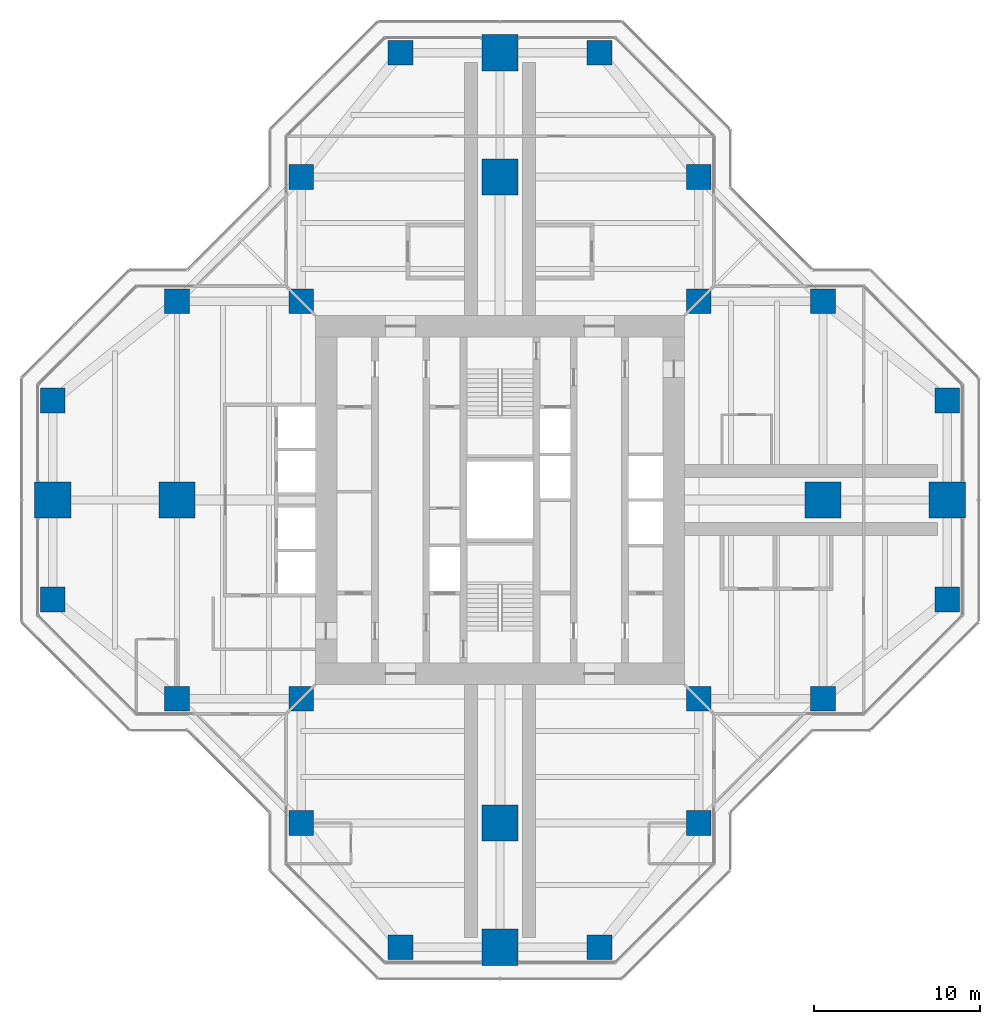
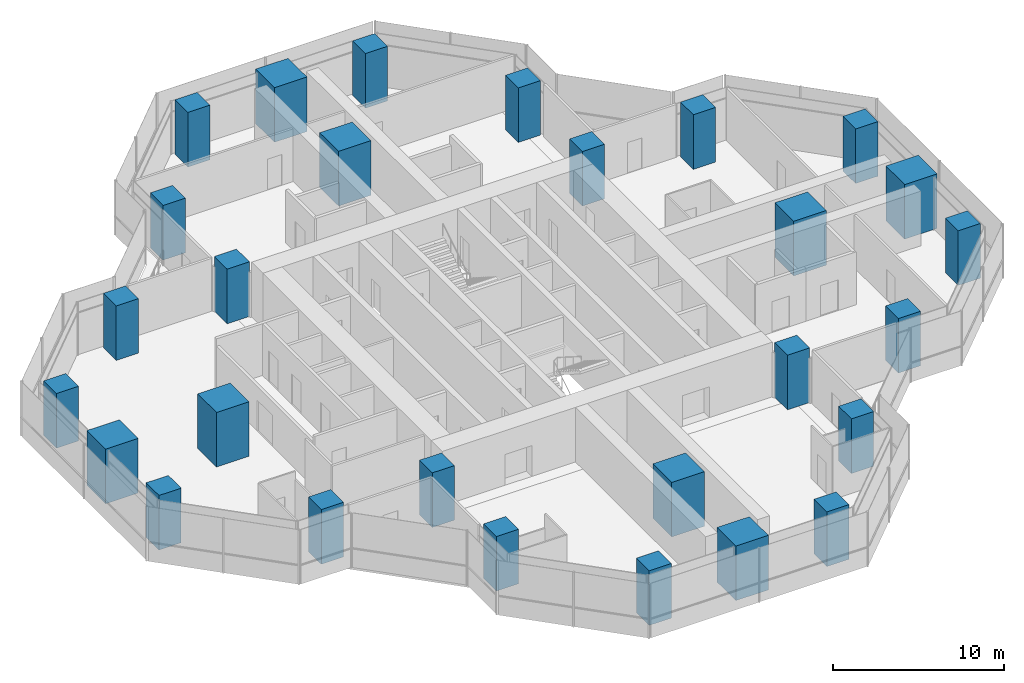
# One storey, part 1 of 17: 28 columns.
"""IFC4 building model written with IfcOpenShell, lengths in metres."""

from ifc_helpers import new_model, si_unit, direction, frame, origin, origin_2d, place, context, subcontext, project, spatial, rectangle, extrude, material, material_profile, profile_set, type_object, element, save


model = new_model("IFC4")

# Units and contexts
model_context = context("Model", 3, precision=1e-05, world=origin(), true_north=direction((0.0, 1.0)))
body_context = subcontext(model_context, "Body", "Model", "MODEL_VIEW")
ifc_project = project(units=[si_unit("LENGTHUNIT", "METRE"), si_unit("AREAUNIT", "SQUARE_METRE"), si_unit("VOLUMEUNIT", "CUBIC_METRE"), si_unit("PLANEANGLEUNIT", "RADIAN"), si_unit("MASSUNIT", "GRAM", prefix="KILO")], contexts=[model_context])

# Site, building, storey
site_placement = place(None, origin())
site = spatial("IfcSite", under=ifc_project, at=site_placement, CompositionType="ELEMENT")
building_placement = place(site_placement, origin())
building = spatial("IfcBuilding", under=site, at=building_placement, Name="Mizan Broadcast Tower", CompositionType="ELEMENT")
storey_placement = place(building_placement, frame((0.0, 0.0, 232.199951171875)))
storey = spatial("IfcBuildingStorey", under=building, at=storey_placement, Name="L54", CompositionType="ELEMENT", Elevation=232.199951171875)

# Columns
ifc_material_1 = material(Name="Concrete C70/85", Category="concrete")
ifc_material_profile_1 = material_profile(ifc_material_1, rectangle(XDim=1.5, YDim=1.5, at=origin_2d()), Name="RC 1500x1500")
ifc_profile_set_1 = profile_set([ifc_material_profile_1], Name="Concrete C70/85")
column_type_1 = type_object("IfcColumnType", Name="RC COLUMN 1500x1500 C70/85", PredefinedType="COLUMN", material=ifc_profile_set_1)
for number, where, z_axis, x_axis, name in (
    (1, (-6.0, -27.0, 0.0), (0.0, 0.0, 1.0), (1.0, 0.0, 0.0), "Column 5/B L54"),
    (2, (6.0, -27.0, 0.0), (0.0, 0.0, 1.0), (1.0, 0.0, 0.0), "Column 7/B L54"),
    (3, (-12.0, -19.5, 0.0), (0.0, 0.0, 1.0), (1.0, 0.0, 0.0), "Column 4/C L54"),
    (4, (12.0, -19.5, 0.0), (0.0, 0.0, 1.0), (1.0, 0.0, 0.0), "Column 8/C L54"),
    (5, (-19.5, -12.0, 0.0), (0.0, 0.0, 1.0), (1.0, 0.0, 0.0), "Column 3/D L54"),
    (6, (-12.0, -12.0, 0.0), (0.0, 0.0, 1.0), (1.0, 0.0, 0.0), "Column 4/D L54"),
    (7, (12.0, -12.0, 0.0), (0.0, 0.0, 1.0), (1.0, 0.0, 0.0), "Column 8/D L54"),
    (8, (19.5, -12.0, 0.0), (0.0, 0.0, 1.0), (1.0, 0.0, 0.0), "Column 9/D L54"),
    (9, (-27.0, -6.0, 0.0), (0.0, 0.0, 1.0), (1.0, 0.0, 0.0), "Column 2/E L54"),
    (10, (27.0, -6.0, 0.0), (0.0, 0.0, 1.0), (1.0, 0.0, 0.0), "Column 10/E L54"),
    (11, (-27.0, 6.0, 0.0), (0.0, 0.0, 1.0), (1.0, 0.0, 0.0), "Column 2/G L54"),
    (12, (27.0, 6.0, 0.0), (0.0, 0.0, 1.0), (1.0, 0.0, 0.0), "Column 10/G L54"),
    (13, (-19.5, 12.0, 0.0), (0.0, 0.0, 1.0), (1.0, 0.0, 0.0), "Column 3/H L54"),
    (14, (-12.0, 12.0, 0.0), (0.0, 0.0, 1.0), (1.0, 0.0, 0.0), "Column 4/H L54"),
    (15, (12.0, 12.0, 0.0), (0.0, 0.0, 1.0), (1.0, 0.0, 0.0), "Column 8/H L54"),
    (16, (19.5, 12.0, 0.0), (0.0, 0.0, 1.0), (1.0, 0.0, 0.0), "Column 9/H L54"),
    (17, (-12.0, 19.5, 0.0), (0.0, 0.0, 1.0), (1.0, 0.0, 0.0), "Column 4/J L54"),
    (18, (12.0, 19.5, 0.0), (0.0, 0.0, 1.0), (1.0, 0.0, 0.0), "Column 8/J L54"),
    (19, (-6.0, 27.0, 0.0), (0.0, 0.0, 1.0), (1.0, 0.0, 0.0), "Column 5/K L54"),
    (20, (6.0, 27.0, 0.0), (0.0, 0.0, 1.0), (1.0, 0.0, 0.0), "Column 7/K L54"),
):
    element("IfcColumn", number, at=place(storey_placement, frame(where, z_axis=z_axis, x_axis=x_axis)), inside=storey, type_object=column_type_1, Name=name, PredefinedType="COLUMN", context=body_context, shape_type="SweptSolid", body=[
        extrude(rectangle(XDim=1.5, YDim=1.5, at=origin_2d()), origin(), (0.0, 0.0, 1.0), 3.900146484375),
    ])
ifc_material_2 = material(Name="Concrete C70/85", Category="concrete")
ifc_material_profile_2 = material_profile(ifc_material_2, rectangle(XDim=2.199951171875, YDim=2.199951171875, at=origin_2d()), Name="RC 2200x2200")
ifc_profile_set_2 = profile_set([ifc_material_profile_2], Name="Concrete C70/85")
column_type_2 = type_object("IfcColumnType", Name="RC COLUMN 2200x2200 C70/85", PredefinedType="COLUMN", material=ifc_profile_set_2)
for number, where, z_axis, x_axis, name in (
    (21, (0.0, -27.0, 0.0), (0.0, 0.0, 1.0), (1.0, 0.0, 0.0), "Column 6/B L54"),
    (22, (0.0, -19.5, 0.0), (0.0, 0.0, 1.0), (1.0, 0.0, 0.0), "Column 6/C L54"),
    (23, (-27.0, 0.0, 0.0), (0.0, 0.0, 1.0), (1.0, 0.0, 0.0), "Column 2/F L54"),
    (24, (-19.5, 0.0, 0.0), (0.0, 0.0, 1.0), (1.0, 0.0, 0.0), "Column 3/F L54"),
    (25, (19.5, 0.0, 0.0), (0.0, 0.0, 1.0), (1.0, 0.0, 0.0), "Column 9/F L54"),
    (26, (27.0, 0.0, 0.0), (0.0, 0.0, 1.0), (1.0, 0.0, 0.0), "Column 10/F L54"),
    (27, (0.0, 19.5, 0.0), (0.0, 0.0, 1.0), (1.0, 0.0, 0.0), "Column 6/J L54"),
    (28, (0.0, 27.0, 0.0), (0.0, 0.0, 1.0), (1.0, 0.0, 0.0), "Column 6/K L54"),
):
    element("IfcColumn", number, at=place(storey_placement, frame(where, z_axis=z_axis, x_axis=x_axis)), inside=storey, type_object=column_type_2, Name=name, PredefinedType="COLUMN", context=body_context, shape_type="SweptSolid", body=[
        extrude(rectangle(XDim=2.199951171875, YDim=2.199951171875, at=origin_2d()), origin(), (0.0, 0.0, 1.0), 3.900146484375),
    ])

save(model, "model.ifc")
